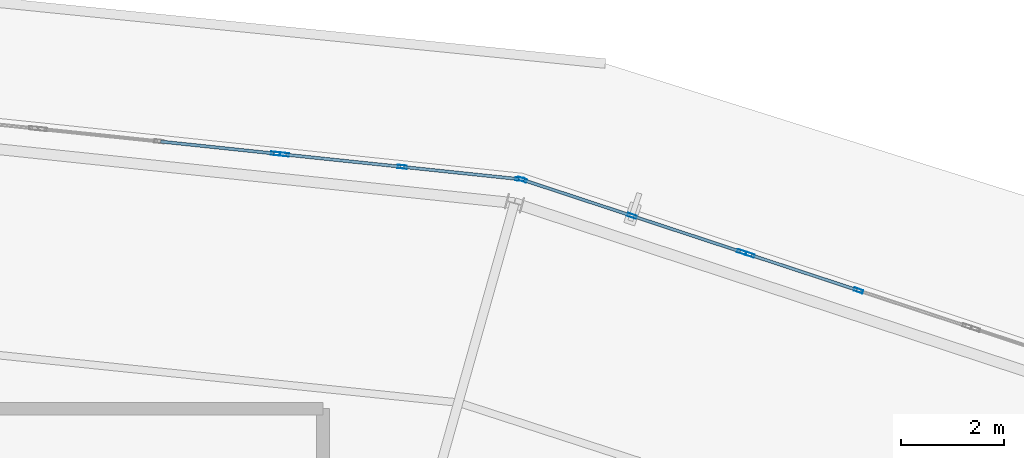
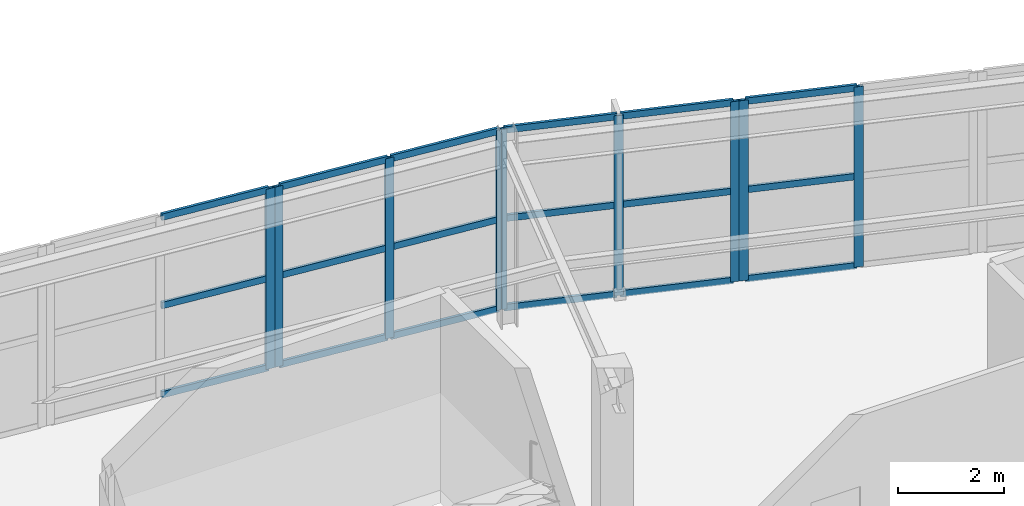
# One storey, part 80 of 126: 27 members, 4 elements without a shape of their own.
"""IFC4 building model written with IfcOpenShell, lengths in metres."""

from ifc_helpers import new_model, si_unit, direction, frame, origin, origin_2d, place, context, subcontext, project, spatial, hollow_rectangle, extrude, material, layer, layer_set, material_profile, profile_set, type_object, element, aggregate, save


model = new_model("IFC4")

# Units and contexts
model_context = context("Model", 3, precision=1e-05, world=origin(), true_north=direction((0.0, 1.0)))
body_context = subcontext(model_context, "Body", "Model", "MODEL_VIEW")
ifc_project = project(units=[si_unit("LENGTHUNIT", "METRE"), si_unit("AREAUNIT", "SQUARE_METRE"), si_unit("VOLUMEUNIT", "CUBIC_METRE"), si_unit("PLANEANGLEUNIT", "RADIAN"), si_unit("MASSUNIT", "GRAM", prefix="KILO")], contexts=[model_context])

# Site, building, storey
site_placement = place(None, origin())
site = spatial("IfcSite", under=ifc_project, at=site_placement, CompositionType="ELEMENT")
building_placement = place(site_placement, origin())
building = spatial("IfcBuilding", under=site, at=building_placement, Name="Kalgoora Escarpment Arena", CompositionType="ELEMENT")
storey_placement = place(building_placement, frame((0.0, 0.0, 18.89990234375)))
storey = spatial("IfcBuildingStorey", under=building, at=storey_placement, Name="L04", CompositionType="ELEMENT", Elevation=18.89990234375)

# Curtain wall, member
ifc_material_1 = material(Name=" Champagne anodised aluminium & double-glazed low-E", Category="aluminium")
ifc_layer_1 = layer(ifc_material_1, 0.14990234375)
ifc_layer_set_1 = layer_set([ifc_layer_1], Name="CW-UNIT-05")
curtain_wall_type_1 = type_object("IfcCurtainWallType", Name="CW-UNIT-05", PredefinedType="NOTDEFINED", material=ifc_layer_set_1)
curtain_wall_1_placement = place(storey_placement, origin())
curtain_wall_1 = element("IfcCurtainWall", 1, at=curtain_wall_1_placement, inside=storey, type_object=curtain_wall_type_1, Name="L04 unitised facade curtain wall 164", PredefinedType="NOTDEFINED")
ifc_material_2 = material(Name="Anodised aluminium 6063-T6", Category="aluminium")
ifc_material_profile_1 = material_profile(ifc_material_2, hollow_rectangle(XDim=0.06494140625, YDim=0.179931640625, WallThickness=0.00390625, at=origin_2d()))
ifc_profile_set_1 = profile_set([ifc_material_profile_1], Name="Anodised aluminium 6063-T6")
member_type_1 = type_object("IfcMemberType", Name="MEM-CW-MULL-180", PredefinedType="MULLION", material=ifc_profile_set_1)
member_1_placement = place(storey_placement, frame((106.359375, 120.01708984375, 0.02001953125), z_axis=(0.0, 0.0, 1.0), x_axis=(0.104182310405, 0.994558216596, 0.0)))
member_1 = element("IfcMember", 2, at=member_1_placement, type_object=member_type_1, Name="CW-05 mullion 3", PredefinedType="MULLION", context=body_context, shape_type="SweptSolid", body=[
    extrude(hollow_rectangle(XDim=0.06494140625, YDim=0.179931640625, WallThickness=0.00390625, at=origin_2d()), origin(), (0.0, 0.0, 1.0), 4.150146484375),
])

# Curtain wall, members
ifc_material_3 = material(Name=" Champagne anodised aluminium & double-glazed low-E", Category="aluminium")
ifc_layer_2 = layer(ifc_material_3, 0.154052734375)
ifc_layer_set_2 = layer_set([ifc_layer_2], Name="CW-UNIT-06")
curtain_wall_type_2 = type_object("IfcCurtainWallType", Name="CW-UNIT-06", PredefinedType="NOTDEFINED", material=ifc_layer_set_2)
curtain_wall_2_placement = place(storey_placement, origin())
curtain_wall_2 = element("IfcCurtainWall", 3, at=curtain_wall_2_placement, inside=storey, type_object=curtain_wall_type_2, Name="L04 unitised facade curtain wall 165", PredefinedType="NOTDEFINED")
member_2_placement = place(storey_placement, frame((106.5234375, 120.0, 0.02001953125), z_axis=(0.0, 0.0, 1.0), x_axis=(0.10415754759, 0.994560810247, 0.0)))
member_2 = element("IfcMember", 4, at=member_2_placement, type_object=member_type_1, Name="CW-06 mullion 1", PredefinedType="MULLION", context=body_context, shape_type="SweptSolid", body=[
    extrude(hollow_rectangle(XDim=0.06494140625, YDim=0.179931640625, WallThickness=0.00390625, at=origin_2d()), origin(), (0.0, 0.0, 1.0), 4.150146484375),
])
member_3_placement = place(storey_placement, frame((108.80859375, 119.7607421875, 0.02001953125), z_axis=(0.0, 0.0, 1.0), x_axis=(0.10415754759, 0.994560810247, 0.0)))
member_3 = element("IfcMember", 5, at=member_3_placement, type_object=member_type_1, Name="CW-06 mullion 2", PredefinedType="MULLION", context=body_context, shape_type="SweptSolid", body=[
    extrude(hollow_rectangle(XDim=0.06494140625, YDim=0.179931640625, WallThickness=0.00390625, at=origin_2d()), origin(), (0.0, 0.0, 1.0), 4.150146484375),
])
member_4_placement = place(storey_placement, frame((111.09375, 119.521484375, 0.02001953125), z_axis=(0.0, 0.0, 1.0), x_axis=(0.10415754759, 0.994560810247, 0.0)))
member_4 = element("IfcMember", 6, at=member_4_placement, type_object=member_type_1, Name="CW-06 mullion 3", PredefinedType="MULLION", context=body_context, shape_type="SweptSolid", body=[
    extrude(hollow_rectangle(XDim=0.06494140625, YDim=0.179931640625, WallThickness=0.00390625, at=origin_2d()), origin(), (0.0, 0.0, 1.0), 4.150146484375),
])

ifc_material_4 = material(Name=" Champagne anodised aluminium & double-glazed low-E", Category="aluminium")
ifc_layer_3 = layer(ifc_material_4, 0.157958984375)
ifc_layer_set_3 = layer_set([ifc_layer_3], Name="CW-UNIT-07")
curtain_wall_type_3 = type_object("IfcCurtainWallType", Name="CW-UNIT-07", PredefinedType="NOTDEFINED", material=ifc_layer_set_3)
curtain_wall_3_placement = place(storey_placement, origin())
curtain_wall_3 = element("IfcCurtainWall", 7, at=curtain_wall_3_placement, inside=storey, type_object=curtain_wall_type_3, Name="L04 unitised facade curtain wall 166", PredefinedType="NOTDEFINED")
member_5_placement = place(storey_placement, frame((111.1318359375, 119.51318359375, 0.02001953125), z_axis=(0.0, 0.0, 1.0), x_axis=(0.312979322933, 0.949759939888, 0.0)))
member_5 = element("IfcMember", 8, at=member_5_placement, type_object=member_type_1, Name="CW-07 mullion 1", PredefinedType="MULLION", context=body_context, shape_type="SweptSolid", body=[
    extrude(hollow_rectangle(XDim=0.06494140625, YDim=0.179931640625, WallThickness=0.00390625, at=origin_2d()), origin(), (0.0, 0.0, 1.0), 4.150146484375),
])
member_6_placement = place(storey_placement, frame((113.259765625, 118.811767578125, 0.02001953125), z_axis=(0.0, 0.0, 1.0), x_axis=(0.312979322933, 0.949759939888, 0.0)))
member_6 = element("IfcMember", 9, at=member_6_placement, type_object=member_type_1, Name="CW-07 mullion 2", PredefinedType="MULLION", context=body_context, shape_type="SweptSolid", body=[
    extrude(hollow_rectangle(XDim=0.06494140625, YDim=0.179931640625, WallThickness=0.00390625, at=origin_2d()), origin(), (0.0, 0.0, 1.0), 4.150146484375),
])
member_7_placement = place(storey_placement, frame((115.387939453125, 118.110595703125, 0.02001953125), z_axis=(0.0, 0.0, 1.0), x_axis=(0.312979322933, 0.949759939888, 0.0)))
member_7 = element("IfcMember", 10, at=member_7_placement, type_object=member_type_1, Name="CW-07 mullion 3", PredefinedType="MULLION", context=body_context, shape_type="SweptSolid", body=[
    extrude(hollow_rectangle(XDim=0.06494140625, YDim=0.179931640625, WallThickness=0.00390625, at=origin_2d()), origin(), (0.0, 0.0, 1.0), 4.150146484375),
])

ifc_material_5 = material(Name=" Champagne anodised aluminium & double-glazed low-E", Category="aluminium")
ifc_layer_4 = layer(ifc_material_5, 0.162109375)
ifc_layer_set_4 = layer_set([ifc_layer_4], Name="CW-UNIT-08")
curtain_wall_type_4 = type_object("IfcCurtainWallType", Name="CW-UNIT-08", PredefinedType="NOTDEFINED", material=ifc_layer_set_4)
curtain_wall_4_placement = place(storey_placement, origin())
curtain_wall_4 = element("IfcCurtainWall", 11, at=curtain_wall_4_placement, inside=storey, type_object=curtain_wall_type_4, Name="L04 unitised facade curtain wall 167", PredefinedType="NOTDEFINED")
member_8_placement = place(storey_placement, frame((115.544677734375, 118.058837890625, 0.02001953125), z_axis=(0.0, 0.0, 1.0), x_axis=(0.312969878028, 0.949763052265, 0.0)))
member_8 = element("IfcMember", 12, at=member_8_placement, type_object=member_type_1, Name="CW-08 mullion 1", PredefinedType="MULLION", context=body_context, shape_type="SweptSolid", body=[
    extrude(hollow_rectangle(XDim=0.06494140625, YDim=0.179931640625, WallThickness=0.00390625, at=origin_2d()), origin(), (0.0, 0.0, 1.0), 4.150146484375),
])
member_9_placement = place(storey_placement, frame((117.64892578125, 117.365478515625, 0.02001953125), z_axis=(0.0, 0.0, 1.0), x_axis=(0.312969878028, 0.949763052265, 0.0)))
member_9 = element("IfcMember", 13, at=member_9_placement, type_object=member_type_1, Name="CW-08 mullion 2", PredefinedType="MULLION", context=body_context, shape_type="SweptSolid", body=[
    extrude(hollow_rectangle(XDim=0.06494140625, YDim=0.179931640625, WallThickness=0.00390625, at=origin_2d()), origin(), (0.0, 0.0, 1.0), 4.150146484375),
])

# Member
ifc_material_6 = material(Name="Anodised aluminium 6063-T6", Category="aluminium")
ifc_material_profile_2 = material_profile(ifc_material_6, hollow_rectangle(XDim=0.06005859375, YDim=0.14990234375, WallThickness=0.00341796875, at=origin_2d()))
ifc_profile_set_2 = profile_set([ifc_material_profile_2], Name="Anodised aluminium 6063-T6")
member_type_2 = type_object("IfcMemberType", Name="MEM-CW-TRAN-150", PredefinedType="USERDEFINED", material=ifc_profile_set_2)
member_10_placement = place(storey_placement, frame((104.13134765625, 120.25048828125, 0.050048828125), z_axis=(0.994558650699, -0.104178166236, 0.0), x_axis=(0.104178166236, 0.994558650699, 0.0)))
member_10 = element("IfcMember", 14, at=member_10_placement, type_object=member_type_2, Name="CW-05 transom 2.1", ObjectType="TRANSOM", PredefinedType="USERDEFINED", context=body_context, shape_type="SweptSolid", body=[
    extrude(hollow_rectangle(XDim=0.06005859375, YDim=0.14990234375, WallThickness=0.00341796875, at=origin_2d()), origin(), (0.0, 0.0, 1.0), 2.20751953125),
])

member_11_placement = place(storey_placement, frame((104.13134765625, 120.25048828125, 2.10498046875), z_axis=(0.994558650699, -0.104178166236, 0.0), x_axis=(0.104178166236, 0.994558650699, 0.0)))
member_11 = element("IfcMember", 15, at=member_11_placement, type_object=member_type_2, Name="CW-05 transom 2.2", ObjectType="TRANSOM", PredefinedType="USERDEFINED", context=body_context, shape_type="SweptSolid", body=[
    extrude(hollow_rectangle(XDim=0.06005859375, YDim=0.14990234375, WallThickness=0.00341796875, at=origin_2d()), origin(), (0.0, 0.0, 1.0), 2.20751953125),
])

member_12_placement = place(storey_placement, frame((104.13134765625, 120.25048828125, 4.14013671875), z_axis=(0.994558650699, -0.104178166236, 0.0), x_axis=(0.104178166236, 0.994558650699, 0.0)))
member_12 = element("IfcMember", 16, at=member_12_placement, type_object=member_type_2, Name="CW-05 transom 2.3", ObjectType="TRANSOM", PredefinedType="USERDEFINED", context=body_context, shape_type="SweptSolid", body=[
    extrude(hollow_rectangle(XDim=0.06005859375, YDim=0.14990234375, WallThickness=0.00341796875, at=origin_2d()), origin(), (0.0, 0.0, 1.0), 2.20751953125),
])

aggregate(curtain_wall_1, [member_1, member_10, member_11, member_12])

member_13_placement = place(storey_placement, frame((106.5556640625, 119.99658203125, 0.050048828125), z_axis=(0.994566401325, -0.104104146681, 0.0), x_axis=(0.104104146681, 0.994566401325, 0.0)))
member_13 = element("IfcMember", 17, at=member_13_placement, type_object=member_type_2, Name="CW-06 transom 1.1", ObjectType="TRANSOM", PredefinedType="USERDEFINED", context=body_context, shape_type="SweptSolid", body=[
    extrude(hollow_rectangle(XDim=0.06005859375, YDim=0.14990234375, WallThickness=0.00341796875, at=origin_2d()), origin(), (0.0, 0.0, 1.0), 2.232666015625),
])

member_14_placement = place(storey_placement, frame((106.5556640625, 119.99658203125, 2.10498046875), z_axis=(0.994566401325, -0.104104146681, 0.0), x_axis=(0.104104146681, 0.994566401325, 0.0)))
member_14 = element("IfcMember", 18, at=member_14_placement, type_object=member_type_2, Name="CW-06 transom 1.2", ObjectType="TRANSOM", PredefinedType="USERDEFINED", context=body_context, shape_type="SweptSolid", body=[
    extrude(hollow_rectangle(XDim=0.06005859375, YDim=0.14990234375, WallThickness=0.00341796875, at=origin_2d()), origin(), (0.0, 0.0, 1.0), 2.232666015625),
])

member_15_placement = place(storey_placement, frame((106.5556640625, 119.99658203125, 4.14013671875), z_axis=(0.994566401325, -0.104104146681, 0.0), x_axis=(0.104104146681, 0.994566401325, 0.0)))
member_15 = element("IfcMember", 19, at=member_15_placement, type_object=member_type_2, Name="CW-06 transom 1.3", ObjectType="TRANSOM", PredefinedType="USERDEFINED", context=body_context, shape_type="SweptSolid", body=[
    extrude(hollow_rectangle(XDim=0.06005859375, YDim=0.14990234375, WallThickness=0.00341796875, at=origin_2d()), origin(), (0.0, 0.0, 1.0), 2.232666015625),
])

member_16_placement = place(storey_placement, frame((108.8408203125, 119.75732421875, 0.050048828125), z_axis=(0.994555073318, -0.104212312795, 0.0), x_axis=(0.104212312795, 0.994555073318, 0.0)))
member_16 = element("IfcMember", 20, at=member_16_placement, type_object=member_type_2, Name="CW-06 transom 2.1", ObjectType="TRANSOM", PredefinedType="USERDEFINED", context=body_context, shape_type="SweptSolid", body=[
    extrude(hollow_rectangle(XDim=0.06005859375, YDim=0.14990234375, WallThickness=0.00341796875, at=origin_2d()), origin(), (0.0, 0.0, 1.0), 2.232666015625),
])

member_17_placement = place(storey_placement, frame((108.8408203125, 119.75732421875, 2.10498046875), z_axis=(0.994555073318, -0.104212312795, 0.0), x_axis=(0.104212312795, 0.994555073318, 0.0)))
member_17 = element("IfcMember", 21, at=member_17_placement, type_object=member_type_2, Name="CW-06 transom 2.2", ObjectType="TRANSOM", PredefinedType="USERDEFINED", context=body_context, shape_type="SweptSolid", body=[
    extrude(hollow_rectangle(XDim=0.06005859375, YDim=0.14990234375, WallThickness=0.00341796875, at=origin_2d()), origin(), (0.0, 0.0, 1.0), 2.232666015625),
])

member_18_placement = place(storey_placement, frame((108.8408203125, 119.75732421875, 4.14013671875), z_axis=(0.994555073318, -0.104212312795, 0.0), x_axis=(0.104212312795, 0.994555073318, 0.0)))
member_18 = element("IfcMember", 22, at=member_18_placement, type_object=member_type_2, Name="CW-06 transom 2.3", ObjectType="TRANSOM", PredefinedType="USERDEFINED", context=body_context, shape_type="SweptSolid", body=[
    extrude(hollow_rectangle(XDim=0.06005859375, YDim=0.14990234375, WallThickness=0.00341796875, at=origin_2d()), origin(), (0.0, 0.0, 1.0), 2.232666015625),
])

aggregate(curtain_wall_2, [member_2, member_3, member_4, member_13, member_14, member_15, member_16, member_17, member_18])

member_19_placement = place(storey_placement, frame((111.16259765625, 119.5029296875, 0.050048828125), z_axis=(0.949766139008, -0.312960510597, 0.0), x_axis=(0.312960510597, 0.949766139008, 0.0)))
member_19 = element("IfcMember", 23, at=member_19_placement, type_object=member_type_2, Name="CW-07 transom 1.1", ObjectType="TRANSOM", PredefinedType="USERDEFINED", context=body_context, shape_type="SweptSolid", body=[
    extrude(hollow_rectangle(XDim=0.06005859375, YDim=0.14990234375, WallThickness=0.00341796875, at=origin_2d()), origin(), (0.0, 0.0, 1.0), 2.17578125),
])

member_20_placement = place(storey_placement, frame((111.16259765625, 119.5029296875, 2.10498046875), z_axis=(0.949766139008, -0.312960510597, 0.0), x_axis=(0.312960510597, 0.949766139008, 0.0)))
member_20 = element("IfcMember", 24, at=member_20_placement, type_object=member_type_2, Name="CW-07 transom 1.2", ObjectType="TRANSOM", PredefinedType="USERDEFINED", context=body_context, shape_type="SweptSolid", body=[
    extrude(hollow_rectangle(XDim=0.06005859375, YDim=0.14990234375, WallThickness=0.00341796875, at=origin_2d()), origin(), (0.0, 0.0, 1.0), 2.17578125),
])

member_21_placement = place(storey_placement, frame((111.16259765625, 119.5029296875, 4.14013671875), z_axis=(0.949766139008, -0.312960510597, 0.0), x_axis=(0.312960510597, 0.949766139008, 0.0)))
member_21 = element("IfcMember", 25, at=member_21_placement, type_object=member_type_2, Name="CW-07 transom 1.3", ObjectType="TRANSOM", PredefinedType="USERDEFINED", context=body_context, shape_type="SweptSolid", body=[
    extrude(hollow_rectangle(XDim=0.06005859375, YDim=0.14990234375, WallThickness=0.00341796875, at=origin_2d()), origin(), (0.0, 0.0, 1.0), 2.17578125),
])

member_22_placement = place(storey_placement, frame((113.290771484375, 118.8017578125, 0.050048828125), z_axis=(0.949766139008, -0.312960510597, 0.0), x_axis=(0.312960510597, 0.949766139008, 0.0)))
member_22 = element("IfcMember", 26, at=member_22_placement, type_object=member_type_2, Name="CW-07 transom 2.1", ObjectType="TRANSOM", PredefinedType="USERDEFINED", context=body_context, shape_type="SweptSolid", body=[
    extrude(hollow_rectangle(XDim=0.06005859375, YDim=0.14990234375, WallThickness=0.00341796875, at=origin_2d()), origin(), (0.0, 0.0, 1.0), 2.17578125),
])

member_23_placement = place(storey_placement, frame((113.290771484375, 118.8017578125, 2.10498046875), z_axis=(0.949766139008, -0.312960510597, 0.0), x_axis=(0.312960510597, 0.949766139008, 0.0)))
member_23 = element("IfcMember", 27, at=member_23_placement, type_object=member_type_2, Name="CW-07 transom 2.2", ObjectType="TRANSOM", PredefinedType="USERDEFINED", context=body_context, shape_type="SweptSolid", body=[
    extrude(hollow_rectangle(XDim=0.06005859375, YDim=0.14990234375, WallThickness=0.00341796875, at=origin_2d()), origin(), (0.0, 0.0, 1.0), 2.17578125),
])

member_24_placement = place(storey_placement, frame((113.290771484375, 118.8017578125, 4.14013671875), z_axis=(0.949766139008, -0.312960510597, 0.0), x_axis=(0.312960510597, 0.949766139008, 0.0)))
member_24 = element("IfcMember", 28, at=member_24_placement, type_object=member_type_2, Name="CW-07 transom 2.3", ObjectType="TRANSOM", PredefinedType="USERDEFINED", context=body_context, shape_type="SweptSolid", body=[
    extrude(hollow_rectangle(XDim=0.06005859375, YDim=0.14990234375, WallThickness=0.00341796875, at=origin_2d()), origin(), (0.0, 0.0, 1.0), 2.17578125),
])

aggregate(curtain_wall_3, [member_5, member_6, member_7, member_19, member_20, member_21, member_22, member_23, member_24])

member_25_placement = place(storey_placement, frame((115.575439453125, 118.048828125, 0.050048828125), z_axis=(0.949767394709, -0.312956699798, 0.0), x_axis=(0.312956699798, 0.949767394709, 0.0)))
member_25 = element("IfcMember", 29, at=member_25_placement, type_object=member_type_2, Name="CW-08 transom 1.1", ObjectType="TRANSOM", PredefinedType="USERDEFINED", context=body_context, shape_type="SweptSolid", body=[
    extrude(hollow_rectangle(XDim=0.06005859375, YDim=0.14990234375, WallThickness=0.00341796875, at=origin_2d()), origin(), (0.0, 0.0, 1.0), 2.15087890625),
])

member_26_placement = place(storey_placement, frame((115.575439453125, 118.048828125, 2.10498046875), z_axis=(0.949767394709, -0.312956699798, 0.0), x_axis=(0.312956699798, 0.949767394709, 0.0)))
member_26 = element("IfcMember", 30, at=member_26_placement, type_object=member_type_2, Name="CW-08 transom 1.2", ObjectType="TRANSOM", PredefinedType="USERDEFINED", context=body_context, shape_type="SweptSolid", body=[
    extrude(hollow_rectangle(XDim=0.06005859375, YDim=0.14990234375, WallThickness=0.00341796875, at=origin_2d()), origin(), (0.0, 0.0, 1.0), 2.15087890625),
])

member_27_placement = place(storey_placement, frame((115.575439453125, 118.048828125, 4.14013671875), z_axis=(0.949767394709, -0.312956699798, 0.0), x_axis=(0.312956699798, 0.949767394709, 0.0)))
member_27 = element("IfcMember", 31, at=member_27_placement, type_object=member_type_2, Name="CW-08 transom 1.3", ObjectType="TRANSOM", PredefinedType="USERDEFINED", context=body_context, shape_type="SweptSolid", body=[
    extrude(hollow_rectangle(XDim=0.06005859375, YDim=0.14990234375, WallThickness=0.00341796875, at=origin_2d()), origin(), (0.0, 0.0, 1.0), 2.15087890625),
])

aggregate(curtain_wall_4, [member_8, member_9, member_25, member_26, member_27])

save(model, "model.ifc")
